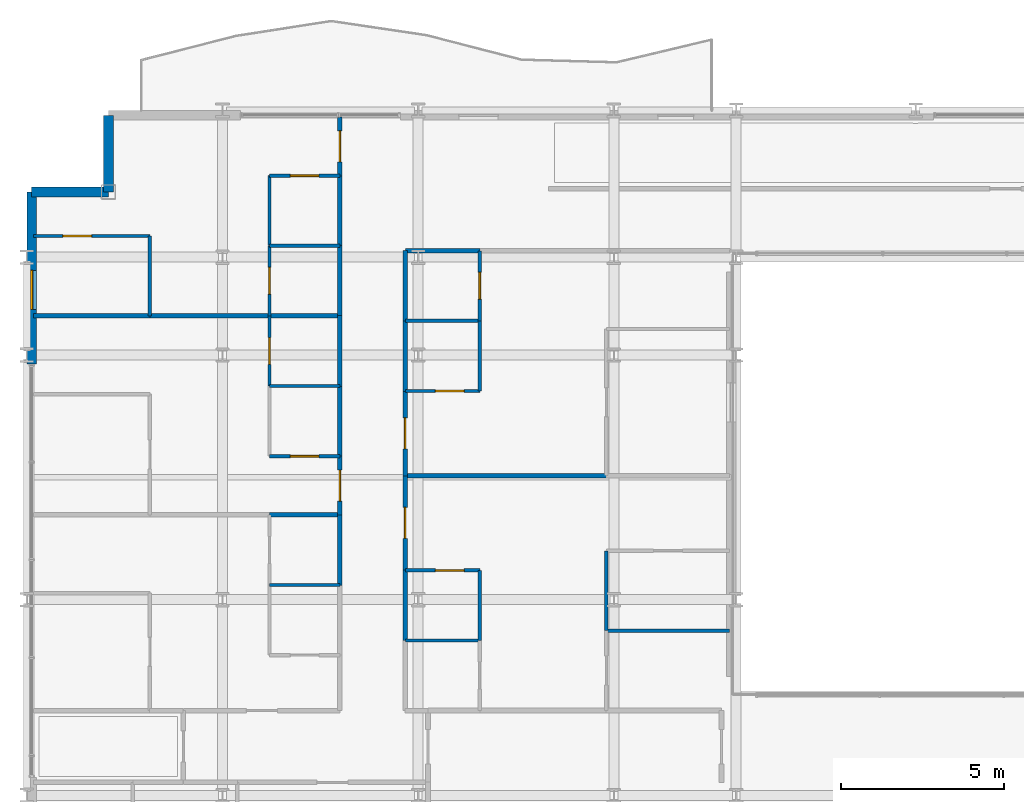
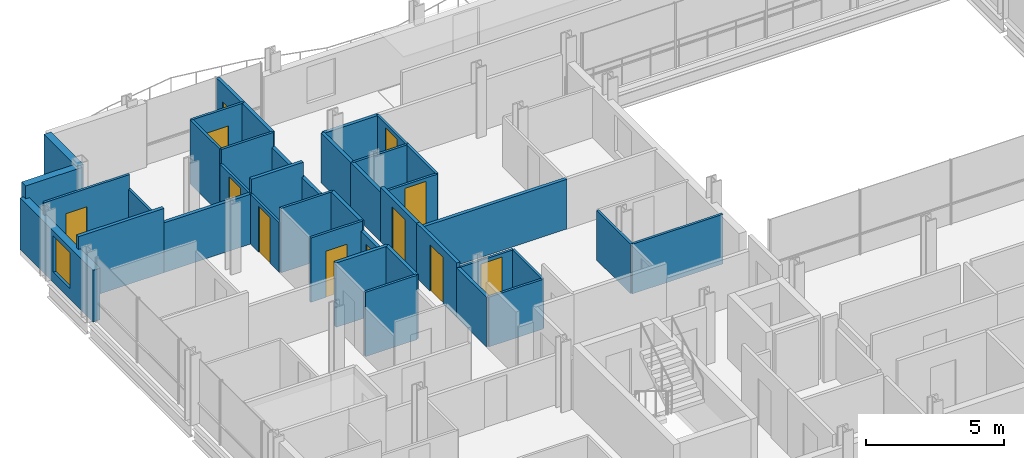
# One storey, part 33 of 41: 40 walls, 12 doors, 1 window, 13 openings.
"""IFC4 building model written with IfcOpenShell, lengths in metres."""

import ifcopenshell
import ifcopenshell.guid

model = None  # the IFC model being written
_history = None  # IfcOwnerHistory: only IFC2X3 demands one
_inside = {}  # id of a spatial element -> (the spatial element, [elements in it])
_under = {}  # id of a project, library or spatial element -> (it, [spatial elements below it])
_declared = {}  # id of a project -> (the project, [libraries it declares])
_typed = {}  # id of a type object -> (the type object, [elements of that type])
_made_of = {}  # id of a material, layer set ... -> (it, [elements and type objects made of it])


def new_model(schema):
    """Start an empty IFC model of exactly this schema.

    Asked for "IFC4X3", IfcOpenShell would pick the latest addendum, in which some entities
    have other attributes; the version numbers below select the first issue.
    IFC2X3 requires an IfcOwnerHistory on every rooted entity: one is made here for all.
    """
    global model, _history
    if schema == "IFC4X3":
        model = ifcopenshell.file(schema_version=(4, 3, 0, 0))
    else:
        model = ifcopenshell.file(schema=schema)
    _inside.clear()
    _under.clear()
    _declared.clear()
    _typed.clear()
    _made_of.clear()
    _history = None
    if model.schema == "IFC2X3":
        org = make("IfcOrganization", Name="unknown")
        user = make(
            "IfcPersonAndOrganization",
            ThePerson=make("IfcPerson", FamilyName="unknown"),
            TheOrganization=org,
        )
        app = make(
            "IfcApplication",
            ApplicationDeveloper=org,
            Version="unknown",
            ApplicationFullName="unknown",
            ApplicationIdentifier="unknown",
        )
        _history = make(
            "IfcOwnerHistory",
            OwningUser=user,
            OwningApplication=app,
            ChangeAction="ADDED",
            CreationDate=0,
        )
    return model


def make(cls, **values):
    """One entity of the class cls with the attributes given. An attribute that is None is left unset."""
    return model.create_entity(
        cls, **{name: value for name, value in values.items() if value is not None}
    )


def rooted(cls, **values):
    """An entity with a GlobalId (a new one), such as an element, a storey or a relation."""
    return make(cls, GlobalId=ifcopenshell.guid.new(), OwnerHistory=_history, **values)


def si_unit(unit_type, name, prefix=None):
    """IfcSIUnit, for example si_unit("LENGTHUNIT", "METRE", prefix="MILLI")."""
    return make("IfcSIUnit", UnitType=unit_type, Prefix=prefix, Name=name)


def assignment(units):
    """IfcUnitAssignment: the units of a project."""
    return None if units is None else make("IfcUnitAssignment", Units=units)


def point(xyz):
    """IfcCartesianPoint."""
    return None if xyz is None else make("IfcCartesianPoint", Coordinates=xyz)


def direction(xyz):
    """IfcDirection."""
    return None if xyz is None else make("IfcDirection", DirectionRatios=xyz)


def frame(location, z_axis=None, x_axis=None):
    """IfcAxis2Placement3D, a coordinate frame: its origin and axes. An axis left out is left unset."""
    return make(
        "IfcAxis2Placement3D",
        Location=point(location),
        Axis=direction(z_axis),
        RefDirection=direction(x_axis),
    )


def frame_2d(location, x_axis=None):
    """IfcAxis2Placement2D, a coordinate frame in the plane: its origin and x axis."""
    return make(
        "IfcAxis2Placement2D", Location=point(location), RefDirection=direction(x_axis)
    )


def origin():
    """The frame at (0, 0, 0) with its axes left unset."""
    return frame((0.0, 0.0, 0.0))


def place(relative_to, where):
    """IfcLocalPlacement: puts the frame where relative to a parent placement (None: the world)."""
    return make(
        "IfcLocalPlacement", PlacementRelTo=relative_to, RelativePlacement=where
    )


def context(
    kind, dimensions, precision=None, world=None, true_north=None, identifier=None
):
    """IfcGeometricRepresentationContext, for example the 3D "Model" context."""
    return make(
        "IfcGeometricRepresentationContext",
        ContextIdentifier=identifier,
        ContextType=kind,
        CoordinateSpaceDimension=dimensions,
        Precision=precision,
        WorldCoordinateSystem=world,
        TrueNorth=true_north,
    )


def subcontext(parent, identifier, kind, view, scale=None):
    """IfcGeometricRepresentationSubContext, for example "Body" below "Model"."""
    return make(
        "IfcGeometricRepresentationSubContext",
        ContextIdentifier=identifier,
        ContextType=kind,
        ParentContext=parent,
        TargetScale=scale,
        TargetView=view,
    )


def project(units=None, contexts=None):
    """IfcProject with its units and contexts."""
    return rooted(
        "IfcProject",
        Name="project",
        RepresentationContexts=contexts,
        UnitsInContext=assignment(units),
    )


def spatial(cls, under=None, at=None, **own):
    """A site, building, storey or space (cls), placed at a placement, below another one or the project."""
    s = rooted(cls, ObjectPlacement=at, **own)
    if under is not None:
        _under.setdefault(under.id(), (under, []))[1].append(s)
    return s


def profile(cls, at=None, kind="AREA", **sizes):
    """A parametric profile (cls). Its sizes go by their IFC names, for example OverallWidth=200.0."""
    return make(cls, ProfileType=kind, Position=at, **sizes)


def rectangle(**sizes):
    """IfcRectangleProfileDef."""
    return profile("IfcRectangleProfileDef", **sizes)


def extrude(swept, where, along, depth):
    """IfcExtrudedAreaSolid: the profile swept, set in the frame where, extruded along a direction by depth."""
    return make(
        "IfcExtrudedAreaSolid",
        SweptArea=swept,
        Position=where,
        ExtrudedDirection=direction(along),
        Depth=depth,
    )


def shape(context_of_items, identifier, shape_type, items):
    """IfcShapeRepresentation: the items that make up one representation, for example the "Body"."""
    return make(
        "IfcShapeRepresentation",
        ContextOfItems=context_of_items,
        RepresentationIdentifier=identifier,
        RepresentationType=shape_type,
        Items=items,
    )


def material(Name=None, Category=None):
    """IfcMaterial."""
    return make("IfcMaterial", Name=Name, Category=Category)


def layer(
    of_material, thickness, ventilated=None, Name=None, Category=None, Priority=None
):
    """IfcMaterialLayer: one layer of a wall or slab, of a material (None: an air gap)."""
    return make(
        "IfcMaterialLayer",
        Material=of_material,
        LayerThickness=thickness,
        IsVentilated=ventilated,
        Name=Name,
        Category=Category,
        Priority=Priority,
    )


def layer_set(layers, Name=None):
    """IfcMaterialLayerSet."""
    return make("IfcMaterialLayerSet", MaterialLayers=layers, LayerSetName=Name)


def made_of(thing, what):
    """Note that an element or type object is made of a material, layer set ...; save() writes the relation."""
    if what is not None:
        _made_of.setdefault(what.id(), (what, []))[1].append(thing)
    return thing


def type_object(cls, material=None, **own):
    """A type object (cls), such as IfcWallType, which elements share."""
    return made_of(rooted(cls, **own), material)


def element(
    cls,
    number,
    at=None,
    inside=None,
    cuts=None,
    type_object=None,
    material=None,
    context=None,
    identifier="Body",
    shape_type=None,
    held_by="IfcProductDefinitionShape",
    body=None,
    shapes=None,
    **own,
):
    """One element of the class cls, such as IfcWall. Its Tag is "e" and its number.

    at: its placement. inside: the storey or other place that contains it. cuts: it is an
    opening in that element (IfcRelVoidsElement). A single representation is given by context,
    identifier, shape_type and body (its items); several are given by shapes. held_by: the class
    of the entity that holds the representations. save() writes the other relations.
    """
    e = rooted(cls, Tag="e%d" % number, ObjectPlacement=at, **own)
    if body is not None:
        shapes = [shape(context, identifier, shape_type, body)]
    if shapes is not None:
        e.Representation = make(held_by, Representations=shapes)
    if inside is not None:
        _inside.setdefault(inside.id(), (inside, []))[1].append(e)
    if cuts is not None:
        rooted(
            "IfcRelVoidsElement", RelatingBuildingElement=cuts, RelatedOpeningElement=e
        )
    if type_object is not None:
        _typed.setdefault(type_object.id(), (type_object, []))[1].append(e)
    return made_of(e, material)


def fill(opening, filler):
    """IfcRelFillsElement: the door or window that sits in an opening."""
    return rooted(
        "IfcRelFillsElement",
        RelatingOpeningElement=opening,
        RelatedBuildingElement=filler,
    )


def aggregate(whole, parts):
    """IfcRelAggregates: a whole, such as a stair, and the parts it consists of."""
    return rooted("IfcRelAggregates", RelatingObject=whole, RelatedObjects=parts)


def save(model, path):
    """Write the relations noted so far, then the file.

    IfcRelAggregates (storeys below a building ...), IfcRelContainedInSpatialStructure (elements
    in a storey), IfcRelDefinesByType, IfcRelAssociatesMaterial and IfcRelDeclares: one each for
    every whole, place, type object, material and project.
    """
    for whole, parts in _under.values():
        aggregate(whole, parts)
    for where, things in _inside.values():
        rooted(
            "IfcRelContainedInSpatialStructure",
            RelatedElements=things,
            RelatingStructure=where,
        )
    for kind, things in _typed.values():
        rooted("IfcRelDefinesByType", RelatedObjects=things, RelatingType=kind)
    for what, things in _made_of.values():
        rooted("IfcRelAssociatesMaterial", RelatedObjects=things, RelatingMaterial=what)
    for by, libraries in _declared.values():
        rooted("IfcRelDeclares", RelatingContext=by, RelatedDefinitions=libraries)
    model.write(path)


model = new_model("IFC4")

# Units and contexts
model_context = context("Model", 3, precision=1e-05, world=origin(), true_north=direction((0.0, 1.0)))
body_context = subcontext(model_context, "Body", "Model", "MODEL_VIEW")
ifc_project = project(units=[si_unit("LENGTHUNIT", "METRE"), si_unit("AREAUNIT", "SQUARE_METRE"), si_unit("VOLUMEUNIT", "CUBIC_METRE"), si_unit("PLANEANGLEUNIT", "RADIAN"), si_unit("MASSUNIT", "GRAM", prefix="KILO")], contexts=[model_context])

# Site, building, storey
site_placement = place(None, origin())
site = spatial("IfcSite", under=ifc_project, at=site_placement, CompositionType="ELEMENT")
building_placement = place(site_placement, origin())
building = spatial("IfcBuilding", under=site, at=building_placement, Name="Brevholm Reach", CompositionType="ELEMENT")
storey_placement = place(building_placement, frame((0.0, 0.0, 93.10009765625)))
storey = spatial("IfcBuildingStorey", under=building, at=storey_placement, Name="L27", CompositionType="ELEMENT", Elevation=93.10009765625)

# Walls
ifc_material_1 = material(Name="Concrete C40/50", Category="concrete")
ifc_layer_1 = layer(ifc_material_1, 0.300048828125)
ifc_layer_set_1 = layer_set([ifc_layer_1], Name="Concrete C40/50")
wall_type_1 = type_object("IfcWallType", Name="WAL-EXT-300", PredefinedType="STANDARD", material=ifc_layer_set_1)
for number, where, z_axis, x_axis, name in (
    (1, (2.5, 30.85009765625, 0.0), (0.0, 0.0, 1.0), (0.0, -1.0, 0.0), "L27 Facade Wall WAL-L27-CNW1"),
    (2, (2.5, 28.5, 0.0), (0.0, 0.0, 1.0), (-1.0, 0.0, 0.0), "L27 Facade Wall WAL-L27-CNW2"),
):
    element("IfcWall", number, at=place(storey_placement, frame(where, z_axis=z_axis, x_axis=x_axis)), inside=storey, type_object=wall_type_1, Name=name, PredefinedType="STANDARD", context=body_context, shape_type="SweptSolid", body=[
        extrude(rectangle(XDim=2.35009765625, YDim=0.300048828125, at=frame_2d((1.175048828125, 0.0))), origin(), (0.0, 0.0, 1.0), 2.83984375),
    ])

# Wall, opening, window
wall_1_placement = place(storey_placement, frame((0.14990234375, 28.5, 0.0), z_axis=(0.0, 0.0, 1.0), x_axis=(0.0, -1.0, 0.0)))
wall_1 = element("IfcWall", 3, at=wall_1_placement, inside=storey, type_object=wall_type_1, Name="L27 Facade Wall WAL-L27-W-N", PredefinedType="STANDARD", context=body_context, shape_type="SweptSolid", body=[
    extrude(rectangle(XDim=5.280029296875, YDim=0.300048828125, at=frame_2d((2.64013671875, 0.0))), origin(), (0.0, 0.0, 1.0), 2.275390625),
])
opening_1_placement = place(wall_1_placement, frame((2.39990234375, 0.0, 0.4560546875)))
opening_1 = element("IfcOpeningElement", 4, at=opening_1_placement, cuts=wall_1, Name="Opening WN-08", PredefinedType="OPENING", context=body_context, shape_type="SweptSolid", body=[
    extrude(rectangle(XDim=1.199951171875, YDim=1.60009765625, at=frame_2d((0.60009765625, 0.800048828125))), frame((0.0, 0.159912109375, 0.0), z_axis=(0.0, -1.0, 0.0), x_axis=(1.0, 0.0, 0.0)), (0.0, 0.0, 1.0), 0.320068359375),
])
ifc_material_2 = material(Name="Dark Anodised Aluminium and Solar-Control IGU Glass", Category="aluminium")
window_type = type_object("IfcWindowType", Name="WIN-RES-1200", PartitioningType="SINGLE_PANEL", PredefinedType="WINDOW", material=ifc_material_2)
window_placement = place(opening_1_placement, origin())
window = element("IfcWindow", 5, at=window_placement, inside=storey, type_object=window_type, Name="L27 Window WIN-L27-WN-1", OverallHeight=1.60009765625, OverallWidth=1.199951171875, PartitioningType="SINGLE_PANEL", PredefinedType="WINDOW", context=body_context, shape_type="SweptSolid", body=[
    extrude(rectangle(XDim=1.199951171875, YDim=1.60009765625, at=frame_2d((0.60009765625, 0.800048828125))), frame((0.0, 0.030029296875, 0.0), z_axis=(0.0, -1.0, 0.0), x_axis=(1.0, 0.0, 0.0)), (0.0, 0.0, 1.0), 0.06005859375),
])
fill(opening_1, window)

# Walls
ifc_material_3 = material(Name="Moisture-Resistant Acoustic Gypsum Stud Partition 100 mm", Category="gypsum")
ifc_layer_2 = layer(ifc_material_3, 0.10009765625)
ifc_layer_set_2 = layer_set([ifc_layer_2], Name="Moisture-Resistant Acoustic Gypsum Stud Partition 100 mm")
wall_type_2 = type_object("IfcWallType", Name="WAL-PRT-100", PredefinedType="PARTITIONING", material=ifc_layer_set_2)
for number, where, z_axis, x_axis, name in (
    (6, (7.43798828125, 16.449951171875, 0.0), (0.0, 0.0, 1.0), (1.0, 0.0, 0.0), "L27 Internal Partition 090"),
    (7, (7.43798828125, 22.550048828125, 0.0), (0.0, 0.0, 1.0), (1.0, 0.0, 0.0), "L27 Internal Partition 099"),
):
    element("IfcWall", number, at=place(storey_placement, frame(where, z_axis=z_axis, x_axis=x_axis)), inside=storey, type_object=wall_type_2, Name=name, PredefinedType="PARTITIONING", context=body_context, shape_type="SweptSolid", body=[
        extrude(rectangle(XDim=2.157958984375, YDim=0.10009765625, at=frame_2d((1.0791015625, 0.0))), origin(), (0.0, 0.0, 1.0), 2.83984375),
    ])

# Wall, opening, door
wall_2_placement = place(storey_placement, frame((7.43798828125, 22.550048828125, 0.0), z_axis=(0.0, 0.0, 1.0), x_axis=(0.0, 1.0, 0.0)))
wall_2 = element("IfcWall", 8, at=wall_2_placement, inside=storey, type_object=wall_type_2, Name="L27 Internal Partition 100", PredefinedType="PARTITIONING", context=body_context, shape_type="SweptSolid", body=[
    extrude(rectangle(XDim=2.14990234375, YDim=0.10009765625, at=frame_2d((1.074951171875, 0.0))), origin(), (0.0, 0.0, 1.0), 2.19482421875),
])
opening_2_placement = place(wall_2_placement, frame((0.6650390625, 0.0, 0.0)))
opening_2 = element("IfcOpeningElement", 9, at=opening_2_placement, cuts=wall_2, Name="Opening ID-03", PredefinedType="OPENING", context=body_context, shape_type="SweptSolid", body=[
    extrude(rectangle(XDim=0.820068359375, YDim=2.02001953125, at=frame_2d((0.41015625, 1.010009765625))), frame((0.0, 0.06005859375, 0.0), z_axis=(0.0, -1.0, 0.0), x_axis=(1.0, 0.0, 0.0)), (0.0, 0.0, 1.0), 0.1201171875),
])
ifc_material_4 = material(Name="Moisture-Resistant Painted Timber Internal Bathroom Door", Category="wood")
door_type_1 = type_object("IfcDoorType", Name="DOR-BATH-820", OperationType="NOTDEFINED", PredefinedType="DOOR", material=ifc_material_4)
door_1_placement = place(opening_2_placement, origin())
door_1 = element("IfcDoor", 10, at=door_1_placement, inside=storey, type_object=door_type_1, Name="L27 Internal Door 036", OperationType="SINGLE_SWING_LEFT", OverallHeight=2.02001953125, OverallWidth=0.820068359375, PredefinedType="DOOR", context=body_context, shape_type="SweptSolid", body=[
    extrude(rectangle(XDim=0.820068359375, YDim=2.02001953125, at=frame_2d((0.41015625, 1.010009765625))), frame((0.0, 0.02490234375, 0.0), z_axis=(0.0, -1.0, 0.0), x_axis=(1.0, 0.0, 0.0)), (0.0, 0.0, 1.0), 0.050048828125),
])
fill(opening_2, door_1)

wall_3_placement = place(storey_placement, frame((7.43798828125, 20.39990234375, 0.0), z_axis=(0.0, 0.0, 1.0), x_axis=(1.0, 0.0, 0.0)))
wall_3 = element("IfcWall", 11, at=wall_3_placement, inside=storey, type_object=wall_type_2, Name="L27 Internal Partition 102", PredefinedType="PARTITIONING", context=body_context, shape_type="SweptSolid", body=[
    extrude(rectangle(XDim=2.157958984375, YDim=0.10009765625, at=frame_2d((1.0791015625, 0.0))), origin(), (0.0, 0.0, 1.0), 2.83984375),
])
opening_3_placement = place(wall_3_placement, frame((0.638916015625, 0.0, 0.0)))
opening_3 = element("IfcOpeningElement", 12, at=opening_3_placement, cuts=wall_3, Name="Opening ID-01", PredefinedType="OPENING", context=body_context, shape_type="SweptSolid", body=[
    extrude(rectangle(XDim=0.8798828125, YDim=2.0400390625, at=frame_2d((0.43994140625, 1.02001953125))), frame((0.0, 0.06005859375, 0.0), z_axis=(0.0, -1.0, 0.0), x_axis=(1.0, 0.0, 0.0)), (0.0, 0.0, 1.0), 0.1201171875),
])
ifc_material_5 = material(Name="Lacquered Ash Solid-Core Acoustic Internal Door", Category="timber")
door_type_2 = type_object("IfcDoorType", Name="DOR-INT-880", OperationType="NOTDEFINED", PredefinedType="DOOR", material=ifc_material_5)
door_2_placement = place(opening_3_placement, origin())
door_2 = element("IfcDoor", 13, at=door_2_placement, inside=storey, type_object=door_type_2, Name="L27 Internal Door 037", OperationType="SINGLE_SWING_RIGHT", OverallHeight=2.0400390625, OverallWidth=0.8798828125, PredefinedType="DOOR", context=body_context, shape_type="SweptSolid", body=[
    extrude(rectangle(XDim=0.8798828125, YDim=2.0400390625, at=frame_2d((0.43994140625, 1.02001953125))), frame((0.0, 0.02490234375, 0.0), z_axis=(0.0, -1.0, 0.0), x_axis=(1.0, 0.0, 0.0)), (0.0, 0.0, 1.0), 0.050048828125),
])
fill(opening_3, door_2)

# Wall
wall_4_placement = place(storey_placement, frame((7.43798828125, 26.85009765625, 0.0), z_axis=(0.0, 0.0, 1.0), x_axis=(1.0, 0.0, 0.0)))
element("IfcWall", 14, at=wall_4_placement, inside=storey, type_object=wall_type_2, Name="L27 Internal Partition 108", PredefinedType="PARTITIONING", context=body_context, shape_type="SweptSolid", body=[
    extrude(rectangle(XDim=2.157958984375, YDim=0.10009765625, at=frame_2d((1.0791015625, 0.0))), origin(), (0.0, 0.0, 1.0), 2.83984375),
])

# Wall, opening, door
wall_5_placement = place(storey_placement, frame((7.43798828125, 24.7041015625, 0.0), z_axis=(0.0, 0.0, 1.0), x_axis=(0.0, 1.0, 0.0)))
wall_5 = element("IfcWall", 15, at=wall_5_placement, inside=storey, type_object=wall_type_2, Name="L27 Internal Partition 109", PredefinedType="PARTITIONING", context=body_context, shape_type="SweptSolid", body=[
    extrude(rectangle(XDim=2.14599609375, YDim=0.10009765625, at=frame_2d((1.072998046875, 0.0))), origin(), (0.0, 0.0, 1.0), 2.19482421875),
])
opening_4_placement = place(wall_5_placement, frame((0.6630859375, 0.0, 0.0)))
opening_4 = element("IfcOpeningElement", 16, at=opening_4_placement, cuts=wall_5, Name="Opening ID-03", PredefinedType="OPENING", context=body_context, shape_type="SweptSolid", body=[
    extrude(rectangle(XDim=0.820068359375, YDim=2.02001953125, at=frame_2d((0.41015625, 1.010009765625))), frame((0.0, 0.06005859375, 0.0), z_axis=(0.0, -1.0, 0.0), x_axis=(1.0, 0.0, 0.0)), (0.0, 0.0, 1.0), 0.1201171875),
])
door_3_placement = place(opening_4_placement, origin())
door_3 = element("IfcDoor", 17, at=door_3_placement, inside=storey, type_object=door_type_1, Name="L27 Internal Door 039", OperationType="SINGLE_SWING_RIGHT", OverallHeight=2.02001953125, OverallWidth=0.820068359375, PredefinedType="DOOR", context=body_context, shape_type="SweptSolid", body=[
    extrude(rectangle(XDim=0.820068359375, YDim=2.02001953125, at=frame_2d((0.41015625, 1.010009765625))), frame((0.0, 0.02490234375, 0.0), z_axis=(0.0, -1.0, 0.0), x_axis=(1.0, 0.0, 0.0)), (0.0, 0.0, 1.0), 0.050048828125),
])
fill(opening_4, door_3)

wall_6_placement = place(storey_placement, frame((7.43798828125, 29.0, 0.0), z_axis=(0.0, 0.0, 1.0), x_axis=(1.0, 0.0, 0.0)))
wall_6 = element("IfcWall", 18, at=wall_6_placement, inside=storey, type_object=wall_type_2, Name="L27 Internal Partition 110", PredefinedType="PARTITIONING", context=body_context, shape_type="SweptSolid", body=[
    extrude(rectangle(XDim=2.157958984375, YDim=0.10009765625, at=frame_2d((1.0791015625, 0.0))), origin(), (0.0, 0.0, 1.0), 2.83984375),
])
opening_5_placement = place(wall_6_placement, frame((0.638916015625, 0.0, 0.0)))
opening_5 = element("IfcOpeningElement", 19, at=opening_5_placement, cuts=wall_6, Name="Opening ID-01", PredefinedType="OPENING", context=body_context, shape_type="SweptSolid", body=[
    extrude(rectangle(XDim=0.8798828125, YDim=2.0400390625, at=frame_2d((0.43994140625, 1.02001953125))), frame((0.0, 0.06005859375, 0.0), z_axis=(0.0, -1.0, 0.0), x_axis=(1.0, 0.0, 0.0)), (0.0, 0.0, 1.0), 0.1201171875),
])
door_4_placement = place(opening_5_placement, origin())
door_4 = element("IfcDoor", 20, at=door_4_placement, inside=storey, type_object=door_type_2, Name="L27 Internal Door 040", OperationType="SINGLE_SWING_LEFT", OverallHeight=2.0400390625, OverallWidth=0.8798828125, PredefinedType="DOOR", context=body_context, shape_type="SweptSolid", body=[
    extrude(rectangle(XDim=0.8798828125, YDim=2.0400390625, at=frame_2d((0.43994140625, 1.02001953125))), frame((0.0, 0.02490234375, 0.0), z_axis=(0.0, -1.0, 0.0), x_axis=(1.0, 0.0, 0.0)), (0.0, 0.0, 1.0), 0.050048828125),
])
fill(opening_5, door_4)

# Walls
wall_7_placement = place(storey_placement, frame((7.43798828125, 26.85400390625, 0.0), z_axis=(0.0, 0.0, 1.0), x_axis=(0.0, 1.0, 0.0)))
element("IfcWall", 21, at=wall_7_placement, inside=storey, type_object=wall_type_2, Name="L27 Internal Partition 111", PredefinedType="PARTITIONING", context=body_context, shape_type="SweptSolid", body=[
    extrude(rectangle(XDim=2.14599609375, YDim=0.10009765625, at=frame_2d((1.072998046875, 0.0))), origin(), (0.0, 0.0, 1.0), 2.83984375),
])
wall_8_placement = place(storey_placement, frame((3.77197265625, 24.7041015625, 0.0), z_axis=(0.0, 0.0, 1.0), x_axis=(0.0, 1.0, 0.0)))
element("IfcWall", 22, at=wall_8_placement, inside=storey, type_object=wall_type_2, Name="L27 Internal Partition 112", PredefinedType="PARTITIONING", context=body_context, shape_type="SweptSolid", body=[
    extrude(rectangle(XDim=2.44580078125, YDim=0.10009765625, at=frame_2d((1.222900390625, 0.0))), origin(), (0.0, 0.0, 1.0), 2.19482421875),
])

# Wall, opening, door
wall_9_placement = place(storey_placement, frame((0.199951171875, 27.14990234375, 0.0), z_axis=(0.0, 0.0, 1.0), x_axis=(1.0, 0.0, 0.0)))
wall_9 = element("IfcWall", 23, at=wall_9_placement, inside=storey, type_object=wall_type_2, Name="L27 Internal Partition 113", PredefinedType="PARTITIONING", context=body_context, shape_type="SweptSolid", body=[
    extrude(rectangle(XDim=3.572021484375, YDim=0.10009765625, at=frame_2d((1.7861328125, 0.0))), origin(), (0.0, 0.0, 1.0), 2.83984375),
])
opening_6_placement = place(wall_9_placement, frame((0.906005859375, 0.0, 0.0)))
opening_6 = element("IfcOpeningElement", 24, at=opening_6_placement, cuts=wall_9, Name="Opening ID-01", PredefinedType="OPENING", context=body_context, shape_type="SweptSolid", body=[
    extrude(rectangle(XDim=0.8798828125, YDim=2.0400390625, at=frame_2d((0.43994140625, 1.02001953125))), frame((0.0, 0.06005859375, 0.0), z_axis=(0.0, -1.0, 0.0), x_axis=(1.0, 0.0, 0.0)), (0.0, 0.0, 1.0), 0.1201171875),
])
door_5_placement = place(opening_6_placement, origin())
door_5 = element("IfcDoor", 25, at=door_5_placement, inside=storey, type_object=door_type_2, Name="L27 Internal Door 041", OperationType="SINGLE_SWING_RIGHT", OverallHeight=2.0400390625, OverallWidth=0.8798828125, PredefinedType="DOOR", context=body_context, shape_type="SweptSolid", body=[
    extrude(rectangle(XDim=0.8798828125, YDim=2.0400390625, at=frame_2d((0.43994140625, 1.02001953125))), frame((0.0, 0.02490234375, 0.0), z_axis=(0.0, -1.0, 0.0), x_axis=(1.0, 0.0, 0.0)), (0.0, 0.0, 1.0), 0.050048828125),
])
fill(opening_6, door_5)

# Walls
wall_10_placement = place(storey_placement, frame((11.60400390625, 14.75, 0.0), z_axis=(0.0, 0.0, 1.0), x_axis=(1.0, 0.0, 0.0)))
element("IfcWall", 26, at=wall_10_placement, inside=storey, type_object=wall_type_2, Name="L27 Internal Partition 114", PredefinedType="PARTITIONING", context=body_context, shape_type="SweptSolid", body=[
    extrude(rectangle(XDim=2.284912109375, YDim=0.10009765625, at=frame_2d((1.142578125, 0.0))), origin(), (0.0, 0.0, 1.0), 2.19482421875),
])
wall_11_placement = place(storey_placement, frame((13.888916015625, 14.75390625, 0.0), z_axis=(0.0, 0.0, 1.0), x_axis=(0.0, 1.0, 0.0)))
element("IfcWall", 27, at=wall_11_placement, inside=storey, type_object=wall_type_2, Name="L27 Internal Partition 116", PredefinedType="PARTITIONING", context=body_context, shape_type="SweptSolid", body=[
    extrude(rectangle(XDim=2.14599609375, YDim=0.10009765625, at=frame_2d((1.072998046875, 0.0))), origin(), (0.0, 0.0, 1.0), 2.19482421875),
])

# Wall, opening, door
wall_12_placement = place(storey_placement, frame((11.60400390625, 16.89990234375, 0.0), z_axis=(0.0, 0.0, 1.0), x_axis=(1.0, 0.0, 0.0)))
wall_12 = element("IfcWall", 28, at=wall_12_placement, inside=storey, type_object=wall_type_2, Name="L27 Internal Partition 117", PredefinedType="PARTITIONING", context=body_context, shape_type="SweptSolid", body=[
    extrude(rectangle(XDim=2.284912109375, YDim=0.10009765625, at=frame_2d((1.142578125, 0.0))), origin(), (0.0, 0.0, 1.0), 2.19482421875),
])
opening_7_placement = place(wall_12_placement, frame((0.922607421875, 0.0, 0.0)))
opening_7 = element("IfcOpeningElement", 29, at=opening_7_placement, cuts=wall_12, Name="Opening ID-01", PredefinedType="OPENING", context=body_context, shape_type="SweptSolid", body=[
    extrude(rectangle(XDim=0.8798828125, YDim=2.0400390625, at=frame_2d((0.43994140625, 1.02001953125))), frame((0.0, 0.06005859375, 0.0), z_axis=(0.0, -1.0, 0.0), x_axis=(1.0, 0.0, 0.0)), (0.0, 0.0, 1.0), 0.1201171875),
])
door_6_placement = place(opening_7_placement, origin())
door_6 = element("IfcDoor", 30, at=door_6_placement, inside=storey, type_object=door_type_2, Name="L27 Internal Door 043", OperationType="SINGLE_SWING_RIGHT", OverallHeight=2.0400390625, OverallWidth=0.8798828125, PredefinedType="DOOR", context=body_context, shape_type="SweptSolid", body=[
    extrude(rectangle(XDim=0.8798828125, YDim=2.0400390625, at=frame_2d((0.43994140625, 1.02001953125))), frame((0.0, 0.02490234375, 0.0), z_axis=(0.0, -1.0, 0.0), x_axis=(1.0, 0.0, 0.0)), (0.0, 0.0, 1.0), 0.050048828125),
])
fill(opening_7, door_6)

# Walls
wall_13_placement = place(storey_placement, frame((17.76904296875, 15.050048828125, 0.0), z_axis=(0.0, 0.0, 1.0), x_axis=(1.0, 0.0, 0.0)))
element("IfcWall", 31, at=wall_13_placement, inside=storey, type_object=wall_type_2, Name="L27 Internal Partition 118", PredefinedType="PARTITIONING", context=body_context, shape_type="SweptSolid", body=[
    extrude(rectangle(XDim=3.781005859375, YDim=0.10009765625, at=frame_2d((1.890625, 0.0))), origin(), (0.0, 0.0, 1.0), 2.19482421875),
])
wall_14_placement = place(storey_placement, frame((17.76904296875, 15.053955078125, 0.0), z_axis=(0.0, 0.0, 1.0), x_axis=(0.0, 1.0, 0.0)))
element("IfcWall", 32, at=wall_14_placement, inside=storey, type_object=wall_type_2, Name="L27 Internal Partition 121", PredefinedType="PARTITIONING", context=body_context, shape_type="SweptSolid", body=[
    extrude(rectangle(XDim=2.446044921875, YDim=0.10009765625, at=frame_2d((1.22314453125, 0.0))), origin(), (0.0, 0.0, 1.0), 2.19482421875),
])
wall_15_placement = place(storey_placement, frame((11.60400390625, 24.550048828125, 0.0), z_axis=(0.0, 0.0, 1.0), x_axis=(1.0, 0.0, 0.0)))
element("IfcWall", 33, at=wall_15_placement, inside=storey, type_object=wall_type_2, Name="L27 Internal Partition 124", PredefinedType="PARTITIONING", context=body_context, shape_type="SweptSolid", body=[
    extrude(rectangle(XDim=2.284912109375, YDim=0.10009765625, at=frame_2d((1.142578125, 0.0))), origin(), (0.0, 0.0, 1.0), 2.19482421875),
])

# Wall, opening, door
wall_16_placement = place(storey_placement, frame((13.888916015625, 24.550048828125, 0.0), z_axis=(0.0, 0.0, 1.0), x_axis=(0.0, 1.0, 0.0)))
wall_16 = element("IfcWall", 34, at=wall_16_placement, inside=storey, type_object=wall_type_2, Name="L27 Internal Partition 125", PredefinedType="PARTITIONING", context=body_context, shape_type="SweptSolid", body=[
    extrude(rectangle(XDim=2.14599609375, YDim=0.10009765625, at=frame_2d((1.072998046875, 0.0))), origin(), (0.0, 0.0, 1.0), 2.19482421875),
])
opening_8_placement = place(wall_16_placement, frame((0.6630859375, 0.0, 0.0)))
opening_8 = element("IfcOpeningElement", 35, at=opening_8_placement, cuts=wall_16, Name="Opening ID-03", PredefinedType="OPENING", context=body_context, shape_type="SweptSolid", body=[
    extrude(rectangle(XDim=0.820068359375, YDim=2.02001953125, at=frame_2d((0.41015625, 1.010009765625))), frame((0.0, 0.06005859375, 0.0), z_axis=(0.0, -1.0, 0.0), x_axis=(1.0, 0.0, 0.0)), (0.0, 0.0, 1.0), 0.1201171875),
])
door_7_placement = place(opening_8_placement, origin())
door_7 = element("IfcDoor", 36, at=door_7_placement, inside=storey, type_object=door_type_1, Name="L27 Internal Door 046", OperationType="SINGLE_SWING_LEFT", OverallHeight=2.02001953125, OverallWidth=0.820068359375, PredefinedType="DOOR", context=body_context, shape_type="SweptSolid", body=[
    extrude(rectangle(XDim=0.820068359375, YDim=2.02001953125, at=frame_2d((0.41015625, 1.010009765625))), frame((0.0, 0.02490234375, 0.0), z_axis=(0.0, -1.0, 0.0), x_axis=(1.0, 0.0, 0.0)), (0.0, 0.0, 1.0), 0.050048828125),
])
fill(opening_8, door_7)

wall_17_placement = place(storey_placement, frame((11.60400390625, 22.39990234375, 0.0), z_axis=(0.0, 0.0, 1.0), x_axis=(1.0, 0.0, 0.0)))
wall_17 = element("IfcWall", 37, at=wall_17_placement, inside=storey, type_object=wall_type_2, Name="L27 Internal Partition 126", PredefinedType="PARTITIONING", context=body_context, shape_type="SweptSolid", body=[
    extrude(rectangle(XDim=2.284912109375, YDim=0.10009765625, at=frame_2d((1.142578125, 0.0))), origin(), (0.0, 0.0, 1.0), 2.19482421875),
])
opening_9_placement = place(wall_17_placement, frame((0.922607421875, 0.0, 0.0)))
opening_9 = element("IfcOpeningElement", 38, at=opening_9_placement, cuts=wall_17, Name="Opening ID-01", PredefinedType="OPENING", context=body_context, shape_type="SweptSolid", body=[
    extrude(rectangle(XDim=0.8798828125, YDim=2.0400390625, at=frame_2d((0.43994140625, 1.02001953125))), frame((0.0, 0.06005859375, 0.0), z_axis=(0.0, -1.0, 0.0), x_axis=(1.0, 0.0, 0.0)), (0.0, 0.0, 1.0), 0.1201171875),
])
door_8_placement = place(opening_9_placement, origin())
door_8 = element("IfcDoor", 39, at=door_8_placement, inside=storey, type_object=door_type_2, Name="L27 Internal Door 047", OperationType="SINGLE_SWING_RIGHT", OverallHeight=2.0400390625, OverallWidth=0.8798828125, PredefinedType="DOOR", context=body_context, shape_type="SweptSolid", body=[
    extrude(rectangle(XDim=0.8798828125, YDim=2.0400390625, at=frame_2d((0.43994140625, 1.02001953125))), frame((0.0, 0.02490234375, 0.0), z_axis=(0.0, -1.0, 0.0), x_axis=(1.0, 0.0, 0.0)), (0.0, 0.0, 1.0), 0.050048828125),
])
fill(opening_9, door_8)

# Walls
wall_18_placement = place(storey_placement, frame((13.888916015625, 22.39990234375, 0.0), z_axis=(0.0, 0.0, 1.0), x_axis=(0.0, 1.0, 0.0)))
element("IfcWall", 40, at=wall_18_placement, inside=storey, type_object=wall_type_2, Name="L27 Internal Partition 127", PredefinedType="PARTITIONING", context=body_context, shape_type="SweptSolid", body=[
    extrude(rectangle(XDim=2.14599609375, YDim=0.10009765625, at=frame_2d((1.072998046875, 0.0))), origin(), (0.0, 0.0, 1.0), 2.19482421875),
])
ifc_material_6 = material(Name="Twin-Stud Acoustic Fire-Rated Gypsum Partition 140 mm", Category="gypsum")
ifc_layer_3 = layer(ifc_material_6, 0.139892578125)
ifc_layer_set_3 = layer_set([ifc_layer_3], Name="Twin-Stud Acoustic Fire-Rated Gypsum Partition 140 mm")
wall_type_3 = type_object("IfcWallType", Name="WAL-PRT-140", PredefinedType="PARTITIONING", material=ifc_layer_set_3)
wall_19_placement = place(storey_placement, frame((9.60009765625, 16.438720703125, 0.0), z_axis=(0.0, 0.0, 1.0), x_axis=(0.0, 1.0, 0.0)))
element("IfcWall", 41, at=wall_19_placement, inside=storey, type_object=wall_type_3, Name="L27 Internal Partition 035", PredefinedType="PARTITIONING", context=body_context, shape_type="SweptSolid", body=[
    extrude(rectangle(XDim=2.172607421875, YDim=0.139892578125, at=frame_2d((1.08642578125, 0.0))), origin(), (0.0, 0.0, 1.0), 2.83984375),
])
wall_20_placement = place(storey_placement, frame((9.60009765625, 22.538818359375, 0.0), z_axis=(0.0, 0.0, 1.0), x_axis=(0.0, 1.0, 0.0)))
element("IfcWall", 42, at=wall_20_placement, inside=storey, type_object=wall_type_3, Name="L27 Internal Partition 038", PredefinedType="PARTITIONING", context=body_context, shape_type="SweptSolid", body=[
    extrude(rectangle(XDim=2.17236328125, YDim=0.139892578125, at=frame_2d((1.086181640625, 0.0))), origin(), (0.0, 0.0, 1.0), 2.19482421875),
])
wall_21_placement = place(storey_placement, frame((9.60009765625, 20.388671875, 0.0), z_axis=(0.0, 0.0, 1.0), x_axis=(0.0, 1.0, 0.0)))
element("IfcWall", 43, at=wall_21_placement, inside=storey, type_object=wall_type_3, Name="L27 Internal Partition 039", PredefinedType="PARTITIONING", context=body_context, shape_type="SweptSolid", body=[
    extrude(rectangle(XDim=2.168701171875, YDim=0.139892578125, at=frame_2d((1.08447265625, 0.0))), origin(), (0.0, 0.0, 1.0), 2.83984375),
])

# Wall, opening, door
wall_22_placement = place(storey_placement, frame((9.60009765625, 18.5927734375, 0.0), z_axis=(0.0, 0.0, 1.0), x_axis=(0.0, 1.0, 0.0)))
wall_22 = element("IfcWall", 44, at=wall_22_placement, inside=storey, type_object=wall_type_3, Name="L27 Internal Partition 040", PredefinedType="PARTITIONING", context=body_context, shape_type="SweptSolid", body=[
    extrude(rectangle(XDim=1.814453125, YDim=0.139892578125, at=frame_2d((0.9072265625, 0.0))), origin(), (0.0, 0.0, 1.0), 2.408447265625),
])
opening_10_placement = place(wall_22_placement, frame((0.432373046875, 0.0, 0.0)))
opening_10 = element("IfcOpeningElement", 45, at=opening_10_placement, cuts=wall_22, Name="Opening ID-30", PredefinedType="OPENING", context=body_context, shape_type="SweptSolid", body=[
    extrude(rectangle(XDim=0.949951171875, YDim=2.050048828125, at=frame_2d((0.47509765625, 1.02490234375))), frame((0.0, 0.079833984375, 0.0), z_axis=(0.0, -1.0, 0.0), x_axis=(1.0, 0.0, 0.0)), (0.0, 0.0, 1.0), 0.159912109375),
])
ifc_material_7 = material(Name="European Oak Veneered Solid-Core Fire Entrance Door", Category="timber")
door_type_3 = type_object("IfcDoorType", Name="DOR-FLT-FD30S", OperationType="NOTDEFINED", PredefinedType="DOOR", material=ifc_material_7)
door_9_placement = place(opening_10_placement, origin())
door_9 = element("IfcDoor", 46, at=door_9_placement, inside=storey, type_object=door_type_3, Name="L27 Internal Door 018", OperationType="SINGLE_SWING_LEFT", OverallHeight=2.050048828125, OverallWidth=0.949951171875, PredefinedType="DOOR", context=body_context, shape_type="SweptSolid", body=[
    extrude(rectangle(XDim=0.949951171875, YDim=2.050048828125, at=frame_2d((0.47509765625, 1.02490234375))), frame((0.0, 0.02490234375, 0.0), z_axis=(0.0, -1.0, 0.0), x_axis=(1.0, 0.0, 0.0)), (0.0, 0.0, 1.0), 0.050048828125),
])
fill(opening_10, door_9)

# Walls
wall_23_placement = place(storey_placement, frame((9.60009765625, 24.692626953125, 0.0), z_axis=(0.0, 0.0, 1.0), x_axis=(0.0, 1.0, 0.0)))
element("IfcWall", 47, at=wall_23_placement, inside=storey, type_object=wall_type_3, Name="L27 Internal Partition 041", PredefinedType="PARTITIONING", context=body_context, shape_type="SweptSolid", body=[
    extrude(rectangle(XDim=2.168701171875, YDim=0.139892578125, at=frame_2d((1.08447265625, 0.0))), origin(), (0.0, 0.0, 1.0), 2.19482421875),
])
wall_24_placement = place(storey_placement, frame((9.60009765625, 26.8427734375, 0.0), z_axis=(0.0, 0.0, 1.0), x_axis=(0.0, 1.0, 0.0)))
element("IfcWall", 48, at=wall_24_placement, inside=storey, type_object=wall_type_3, Name="L27 Internal Partition 042", PredefinedType="PARTITIONING", context=body_context, shape_type="SweptSolid", body=[
    extrude(rectangle(XDim=2.16845703125, YDim=0.139892578125, at=frame_2d((1.084228515625, 0.0))), origin(), (0.0, 0.0, 1.0), 2.83984375),
])

# Wall, opening, door
wall_25_placement = place(storey_placement, frame((9.60009765625, 28.99267578125, 0.0), z_axis=(0.0, 0.0, 1.0), x_axis=(0.0, 1.0, 0.0)))
wall_25 = element("IfcWall", 49, at=wall_25_placement, inside=storey, type_object=wall_type_3, Name="L27 Internal Partition 043", PredefinedType="PARTITIONING", context=body_context, shape_type="SweptSolid", body=[
    extrude(rectangle(XDim=1.807373046875, YDim=0.139892578125, at=frame_2d((0.90380859375, 0.0))), origin(), (0.0, 0.0, 1.0), 2.83984375),
])
opening_11_placement = place(wall_25_placement, frame((0.4287109375, 0.0, 0.0)))
opening_11 = element("IfcOpeningElement", 50, at=opening_11_placement, cuts=wall_25, Name="Opening ID-30", PredefinedType="OPENING", context=body_context, shape_type="SweptSolid", body=[
    extrude(rectangle(XDim=0.949951171875, YDim=2.050048828125, at=frame_2d((0.47509765625, 1.02490234375))), frame((0.0, 0.079833984375, 0.0), z_axis=(0.0, -1.0, 0.0), x_axis=(1.0, 0.0, 0.0)), (0.0, 0.0, 1.0), 0.159912109375),
])
door_10_placement = place(opening_11_placement, origin())
door_10 = element("IfcDoor", 51, at=door_10_placement, inside=storey, type_object=door_type_3, Name="L27 Internal Door 019", OperationType="SINGLE_SWING_RIGHT", OverallHeight=2.050048828125, OverallWidth=0.949951171875, PredefinedType="DOOR", context=body_context, shape_type="SweptSolid", body=[
    extrude(rectangle(XDim=0.949951171875, YDim=2.050048828125, at=frame_2d((0.47509765625, 1.02490234375))), frame((0.0, 0.02490234375, 0.0), z_axis=(0.0, -1.0, 0.0), x_axis=(1.0, 0.0, 0.0)), (0.0, 0.0, 1.0), 0.050048828125),
])
fill(opening_11, door_10)

# Wall
wall_26_placement = place(storey_placement, frame((11.60009765625, 14.74267578125, 0.0), z_axis=(0.0, 0.0, 1.0), x_axis=(0.0, 1.0, 0.0)))
element("IfcWall", 52, at=wall_26_placement, inside=storey, type_object=wall_type_3, Name="L27 Internal Partition 045", PredefinedType="PARTITIONING", context=body_context, shape_type="SweptSolid", body=[
    extrude(rectangle(XDim=2.168701171875, YDim=0.139892578125, at=frame_2d((1.08447265625, 0.0))), origin(), (0.0, 0.0, 1.0), 2.19482421875),
])

# Wall, opening, door
wall_27_placement = place(storey_placement, frame((11.60009765625, 16.892578125, 0.0), z_axis=(0.0, 0.0, 1.0), x_axis=(0.0, 1.0, 0.0)))
wall_27 = element("IfcWall", 53, at=wall_27_placement, inside=storey, type_object=wall_type_3, Name="L27 Internal Partition 046", PredefinedType="PARTITIONING", context=body_context, shape_type="SweptSolid", body=[
    extrude(rectangle(XDim=2.918701171875, YDim=0.139892578125, at=frame_2d((1.45947265625, 0.0))), origin(), (0.0, 0.0, 1.0), 2.408447265625),
])
opening_12_placement = place(wall_27_placement, frame((0.984375, 0.0, 0.0)))
opening_12 = element("IfcOpeningElement", 54, at=opening_12_placement, cuts=wall_27, Name="Opening ID-30", PredefinedType="OPENING", context=body_context, shape_type="SweptSolid", body=[
    extrude(rectangle(XDim=0.949951171875, YDim=2.050048828125, at=frame_2d((0.47509765625, 1.02490234375))), frame((0.0, 0.079833984375, 0.0), z_axis=(0.0, -1.0, 0.0), x_axis=(1.0, 0.0, 0.0)), (0.0, 0.0, 1.0), 0.159912109375),
])
door_11_placement = place(opening_12_placement, origin())
door_11 = element("IfcDoor", 55, at=door_11_placement, inside=storey, type_object=door_type_3, Name="L27 Internal Door 020", OperationType="SINGLE_SWING_LEFT", OverallHeight=2.050048828125, OverallWidth=0.949951171875, PredefinedType="DOOR", context=body_context, shape_type="SweptSolid", body=[
    extrude(rectangle(XDim=0.949951171875, YDim=2.050048828125, at=frame_2d((0.47509765625, 1.02490234375))), frame((0.0, 0.02490234375, 0.0), z_axis=(0.0, -1.0, 0.0), x_axis=(1.0, 0.0, 0.0)), (0.0, 0.0, 1.0), 0.050048828125),
])
fill(opening_12, door_11)

# Walls
wall_28_placement = place(storey_placement, frame((11.60009765625, 24.538818359375, 0.0), z_axis=(0.0, 0.0, 1.0), x_axis=(0.0, 1.0, 0.0)))
element("IfcWall", 56, at=wall_28_placement, inside=storey, type_object=wall_type_3, Name="L27 Internal Partition 047", PredefinedType="PARTITIONING", context=body_context, shape_type="SweptSolid", body=[
    extrude(rectangle(XDim=2.16845703125, YDim=0.139892578125, at=frame_2d((1.084228515625, 0.0))), origin(), (0.0, 0.0, 1.0), 2.19482421875),
])
wall_29_placement = place(storey_placement, frame((11.60009765625, 22.388671875, 0.0), z_axis=(0.0, 0.0, 1.0), x_axis=(0.0, 1.0, 0.0)))
element("IfcWall", 57, at=wall_29_placement, inside=storey, type_object=wall_type_3, Name="L27 Internal Partition 048", PredefinedType="PARTITIONING", context=body_context, shape_type="SweptSolid", body=[
    extrude(rectangle(XDim=2.168701171875, YDim=0.139892578125, at=frame_2d((1.08447265625, 0.0))), origin(), (0.0, 0.0, 1.0), 2.19482421875),
])

# Wall, opening, door
wall_30_placement = place(storey_placement, frame((11.60009765625, 19.792724609375, 0.0), z_axis=(0.0, 0.0, 1.0), x_axis=(0.0, 1.0, 0.0)))
wall_30 = element("IfcWall", 58, at=wall_30_placement, inside=storey, type_object=wall_type_3, Name="L27 Internal Partition 049", PredefinedType="PARTITIONING", context=body_context, shape_type="SweptSolid", body=[
    extrude(rectangle(XDim=2.614501953125, YDim=0.139892578125, at=frame_2d((1.30712890625, 0.0))), origin(), (0.0, 0.0, 1.0), 2.408447265625),
])
opening_13_placement = place(wall_30_placement, frame((0.832275390625, 0.0, 0.0)))
opening_13 = element("IfcOpeningElement", 59, at=opening_13_placement, cuts=wall_30, Name="Opening ID-30", PredefinedType="OPENING", context=body_context, shape_type="SweptSolid", body=[
    extrude(rectangle(XDim=0.949951171875, YDim=2.050048828125, at=frame_2d((0.47509765625, 1.02490234375))), frame((0.0, 0.079833984375, 0.0), z_axis=(0.0, -1.0, 0.0), x_axis=(1.0, 0.0, 0.0)), (0.0, 0.0, 1.0), 0.159912109375),
])
door_12_placement = place(opening_13_placement, origin())
door_12 = element("IfcDoor", 60, at=door_12_placement, inside=storey, type_object=door_type_3, Name="L27 Internal Door 021", OperationType="SINGLE_SWING_RIGHT", OverallHeight=2.050048828125, OverallWidth=0.949951171875, PredefinedType="DOOR", context=body_context, shape_type="SweptSolid", body=[
    extrude(rectangle(XDim=0.949951171875, YDim=2.050048828125, at=frame_2d((0.47509765625, 1.02490234375))), frame((0.0, 0.02490234375, 0.0), z_axis=(0.0, -1.0, 0.0), x_axis=(1.0, 0.0, 0.0)), (0.0, 0.0, 1.0), 0.050048828125),
])
fill(opening_13, door_12)

# Walls
wall_31_placement = place(storey_placement, frame((11.60400390625, 26.699951171875, 0.0), z_axis=(0.0, 0.0, 1.0), x_axis=(1.0, 0.0, 0.0)))
element("IfcWall", 61, at=wall_31_placement, inside=storey, type_object=wall_type_3, Name="L27 Internal Partition 062", PredefinedType="PARTITIONING", context=body_context, shape_type="SweptSolid", body=[
    extrude(rectangle(XDim=2.29638671875, YDim=0.139892578125, at=frame_2d((1.148193359375, 0.0))), origin(), (0.0, 0.0, 1.0), 2.19482421875),
])
for number, where, z_axis, x_axis, name in (
    (62, (7.43798828125, 18.60009765625, 0.0), (0.0, 0.0, 1.0), (1.0, 0.0, 0.0), "L27 Internal Partition 092"),
    (63, (7.43798828125, 24.699951171875, 0.0), (0.0, 0.0, 1.0), (1.0, 0.0, 0.0), "L27 Internal Partition 101"),
):
    element("IfcWall", number, at=place(storey_placement, frame(where, z_axis=z_axis, x_axis=x_axis)), inside=storey, type_object=wall_type_3, Name=name, PredefinedType="PARTITIONING", context=body_context, shape_type="SweptSolid", body=[
        extrude(rectangle(XDim=2.157958984375, YDim=0.139892578125, at=frame_2d((1.0791015625, 0.0))), origin(), (0.0, 0.0, 1.0), 2.83984375),
    ])
wall_32_placement = place(storey_placement, frame((0.199951171875, 24.699951171875, 0.0), z_axis=(0.0, 0.0, 1.0), x_axis=(1.0, 0.0, 0.0)))
element("IfcWall", 64, at=wall_32_placement, inside=storey, type_object=wall_type_3, Name="L27 Internal Partition 106", PredefinedType="PARTITIONING", context=body_context, shape_type="SweptSolid", body=[
    extrude(rectangle(XDim=3.583251953125, YDim=0.139892578125, at=frame_2d((1.79150390625, 0.0))), origin(), (0.0, 0.0, 1.0), 2.83984375),
])
wall_33_placement = place(storey_placement, frame((3.7646484375, 24.699951171875, 0.0), z_axis=(0.0, 0.0, 1.0), x_axis=(1.0, 0.0, 0.0)))
element("IfcWall", 65, at=wall_33_placement, inside=storey, type_object=wall_type_3, Name="L27 Internal Partition 107", PredefinedType="PARTITIONING", context=body_context, shape_type="SweptSolid", body=[
    extrude(rectangle(XDim=3.66943359375, YDim=0.139892578125, at=frame_2d((1.834716796875, 0.0))), origin(), (0.0, 0.0, 1.0), 2.19482421875),
])
wall_34_placement = place(storey_placement, frame((11.60400390625, 19.800048828125, 0.0), z_axis=(0.0, 0.0, 1.0), x_axis=(1.0, 0.0, 0.0)))
element("IfcWall", 66, at=wall_34_placement, inside=storey, type_object=wall_type_3, Name="L27 Internal Partition 123", PredefinedType="PARTITIONING", context=body_context, shape_type="SweptSolid", body=[
    extrude(rectangle(XDim=6.17236328125, YDim=0.139892578125, at=frame_2d((3.086181640625, 0.0))), origin(), (0.0, 0.0, 1.0), 2.19482421875),
])

save(model, "model.ifc")
